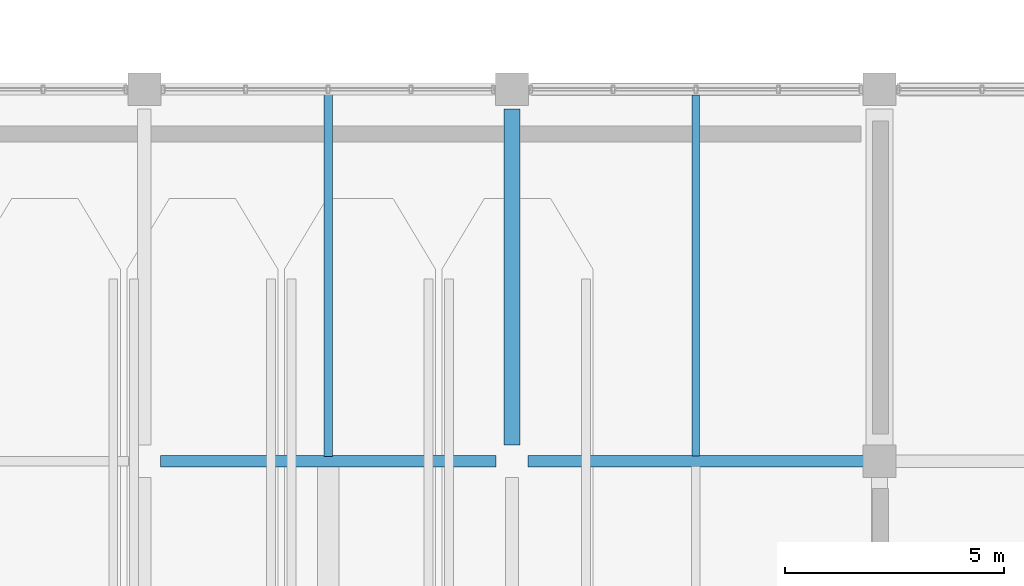
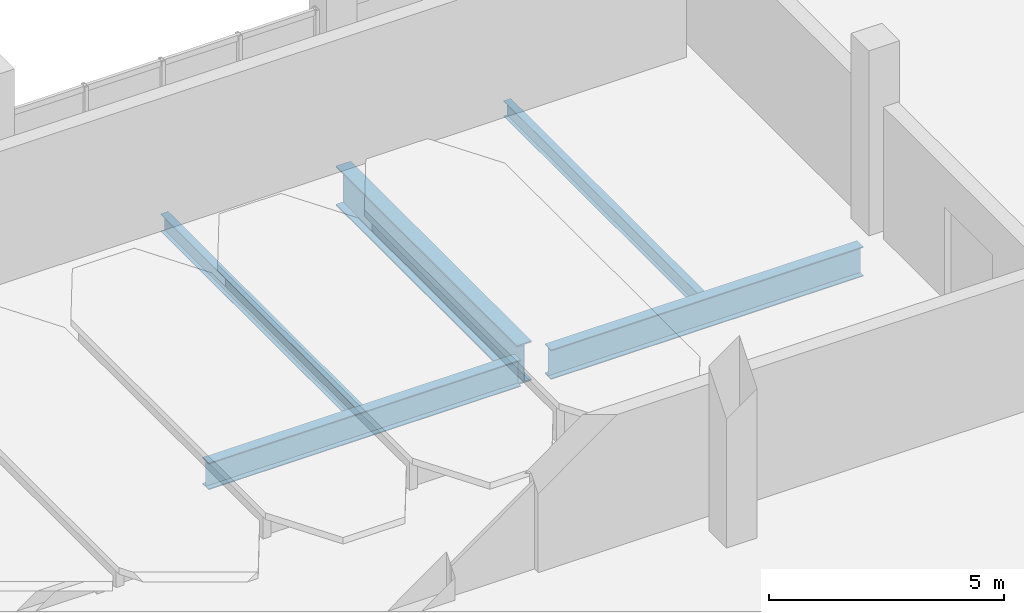
# One storey, part 60 of 117: 5 beams.
"""IFC4 building model written with IfcOpenShell, lengths in metres."""

from ifc_helpers import new_model, si_unit, direction, frame, origin, origin_2d, place, context, subcontext, project, spatial, i_section, extrude, material, material_profile, profile_set, type_object, element, save


model = new_model("IFC4")

# Units and contexts
model_context = context("Model", 3, precision=1e-05, world=origin(), true_north=direction((0.0, 1.0)))
body_context = subcontext(model_context, "Body", "Model", "MODEL_VIEW")
ifc_project = project(units=[si_unit("LENGTHUNIT", "METRE"), si_unit("AREAUNIT", "SQUARE_METRE"), si_unit("VOLUMEUNIT", "CUBIC_METRE"), si_unit("PLANEANGLEUNIT", "RADIAN"), si_unit("MASSUNIT", "GRAM", prefix="KILO")], contexts=[model_context])

# Site, building, storey
site_placement = place(None, origin())
site = spatial("IfcSite", under=ifc_project, at=site_placement, CompositionType="ELEMENT")
building_placement = place(site_placement, origin())
building = spatial("IfcBuilding", under=site, at=building_placement, Name="Solvento Point Concert Hall", CompositionType="ELEMENT")
storey_placement = place(building_placement, frame((0.0, 0.0, 5.39990234375)))
storey = spatial("IfcBuildingStorey", under=building, at=storey_placement, Name="L01", CompositionType="ELEMENT", Elevation=5.39990234375)

# Beams
ifc_material_1 = material(Name="Structural Steel ASTM A992 Grade 50", Category="steel")
ifc_material_profile_1 = material_profile(ifc_material_1, i_section(OverallWidth=0.256103515625, OverallDepth=0.693115234375, WebThickness=0.014404296875, FlangeThickness=0.023681640625, at=origin_2d()), Name="W27X114")
ifc_profile_set_1 = profile_set([ifc_material_profile_1], Name="Structural Steel ASTM A992 Grade 50")
beam_type_1 = type_object("IfcBeamType", Name="Girder_W27X114", PredefinedType="USERDEFINED", material=ifc_profile_set_1)
beam_1_placement = place(storey_placement, frame((175.569091796875, 17.0, -0.7705078125), z_axis=(1.0, 0.0, 0.0), x_axis=(0.0, 1.0, 0.0)))
element("IfcBeam", 1, at=beam_1_placement, inside=storey, type_object=beam_type_1, Name="Primary girder B-23 L01", ObjectType="GIRDER", PredefinedType="USERDEFINED", context=body_context, shape_type="SweptSolid", body=[
    extrude(i_section(OverallWidth=0.256103515625, OverallDepth=0.693115234375, WebThickness=0.014404296875, FlangeThickness=0.023681640625, at=origin_2d()), origin(), (0.0, 0.0, 1.0), 7.661865234375),
])
ifc_material_2 = material(Name="Structural Steel ASTM A992 Grade 50", Category="steel")
ifc_material_profile_2 = material_profile(ifc_material_2, i_section(OverallWidth=0.26806640625, OverallDepth=0.77001953125, WebThickness=0.015625, FlangeThickness=0.025390625, at=origin_2d()), Name="W30X132")
ifc_profile_set_2 = profile_set([ifc_material_profile_2], Name="Structural Steel ASTM A992 Grade 50")
beam_type_2 = type_object("IfcBeamType", Name="Girder_W30X132", PredefinedType="USERDEFINED", material=ifc_profile_set_2)
beam_2_placement = place(storey_placement, frame((183.968994140625, 17.0, -0.808837890625), z_axis=(1.0, 0.0, 0.0), x_axis=(0.0, 1.0, 0.0)))
element("IfcBeam", 2, at=beam_2_placement, inside=storey, type_object=beam_type_2, Name="Primary girder B-68 L01", ObjectType="GIRDER", PredefinedType="USERDEFINED", context=body_context, shape_type="SweptSolid", body=[
    extrude(i_section(OverallWidth=0.26806640625, OverallDepth=0.77001953125, WebThickness=0.015625, FlangeThickness=0.025390625, at=origin_2d()), origin(), (0.0, 0.0, 1.0), 7.662109375),
])
ifc_material_3 = material(Name="Structural Steel ASTM A992 Grade 50", Category="steel")
ifc_material_profile_3 = material_profile(ifc_material_3, i_section(OverallWidth=0.361083984375, OverallDepth=1.02587890625, WebThickness=0.01904296875, FlangeThickness=0.0361328125, at=origin_2d()), Name="W40X249")
ifc_profile_set_3 = profile_set([ifc_material_profile_3], Name="Structural Steel ASTM A992 Grade 50")
beam_type_3 = type_object("IfcBeamType", Name="Girder_W40X249", PredefinedType="USERDEFINED", material=ifc_profile_set_3)
beam_3_placement = place(storey_placement, frame((183.60009765625, 17.368896484375, -0.93701171875), z_axis=(0.0, 1.0, 0.0), x_axis=(-1.0, 0.0, 0.0)))
element("IfcBeam", 3, at=beam_3_placement, inside=storey, type_object=beam_type_3, Name="Primary girder B-29 L01", ObjectType="GIRDER", PredefinedType="USERDEFINED", context=body_context, shape_type="SweptSolid", body=[
    extrude(i_section(OverallWidth=0.361083984375, OverallDepth=1.02587890625, WebThickness=0.01904296875, FlangeThickness=0.0361328125, at=origin_2d()), origin(), (0.0, 0.0, 1.0), 7.68701171875),
])
ifc_material_4 = material(Name="Structural Steel ASTM A992 Grade 50", Category="steel")
ifc_material_profile_4 = material_profile(ifc_material_4, i_section(OverallWidth=0.177490234375, OverallDepth=0.403076171875, WebThickness=0.007568359375, FlangeThickness=0.010986328125, at=origin_2d()), Name="W16X36")
ifc_profile_set_4 = profile_set([ifc_material_profile_4], Name="Structural Steel ASTM A992 Grade 50")
beam_type_4 = type_object("IfcBeamType", Name="Joist_W16X36", PredefinedType="JOIST", material=ifc_profile_set_4)
beam_4_placement = place(storey_placement, frame((187.800048828125, 17.118896484375, -0.62548828125), z_axis=(0.0, 1.0, 0.0), x_axis=(-1.0, 0.0, 0.0)))
element("IfcBeam", 4, at=beam_4_placement, inside=storey, type_object=beam_type_4, Name="Secondary floor joist B-30 L01", PredefinedType="JOIST", context=body_context, shape_type="SweptSolid", body=[
    extrude(i_section(OverallWidth=0.177490234375, OverallDepth=0.403076171875, WebThickness=0.007568359375, FlangeThickness=0.010986328125, at=origin_2d()), origin(), (0.0, 0.0, 1.0), 8.25),
])
ifc_material_5 = material(Name="Structural Steel ASTM A992 Grade 50", Category="steel")
ifc_material_profile_5 = material_profile(ifc_material_5, i_section(OverallWidth=0.1904296875, OverallDepth=0.45703125, WebThickness=0.009033203125, FlangeThickness=0.014404296875, at=origin_2d()), Name="W18X50")
ifc_profile_set_5 = profile_set([ifc_material_profile_5], Name="Structural Steel ASTM A992 Grade 50")
beam_type_5 = type_object("IfcBeamType", Name="Joist_W18X50", PredefinedType="JOIST", material=ifc_profile_set_5)
beam_5_placement = place(storey_placement, frame((179.39990234375, 17.113037109375, -0.65234375), z_axis=(0.0, 1.0, 0.0), x_axis=(-1.0, 0.0, 0.0)))
element("IfcBeam", 5, at=beam_5_placement, inside=storey, type_object=beam_type_5, Name="Secondary floor joist B-66 L01", PredefinedType="JOIST", context=body_context, shape_type="SweptSolid", body=[
    extrude(i_section(OverallWidth=0.1904296875, OverallDepth=0.45703125, WebThickness=0.009033203125, FlangeThickness=0.014404296875, at=origin_2d()), origin(), (0.0, 0.0, 1.0), 8.26806640625),
])

save(model, "model.ifc")
